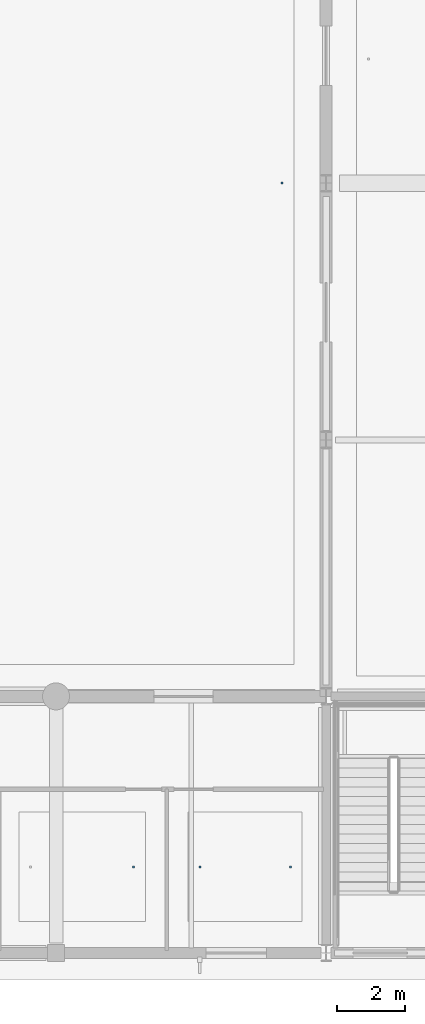
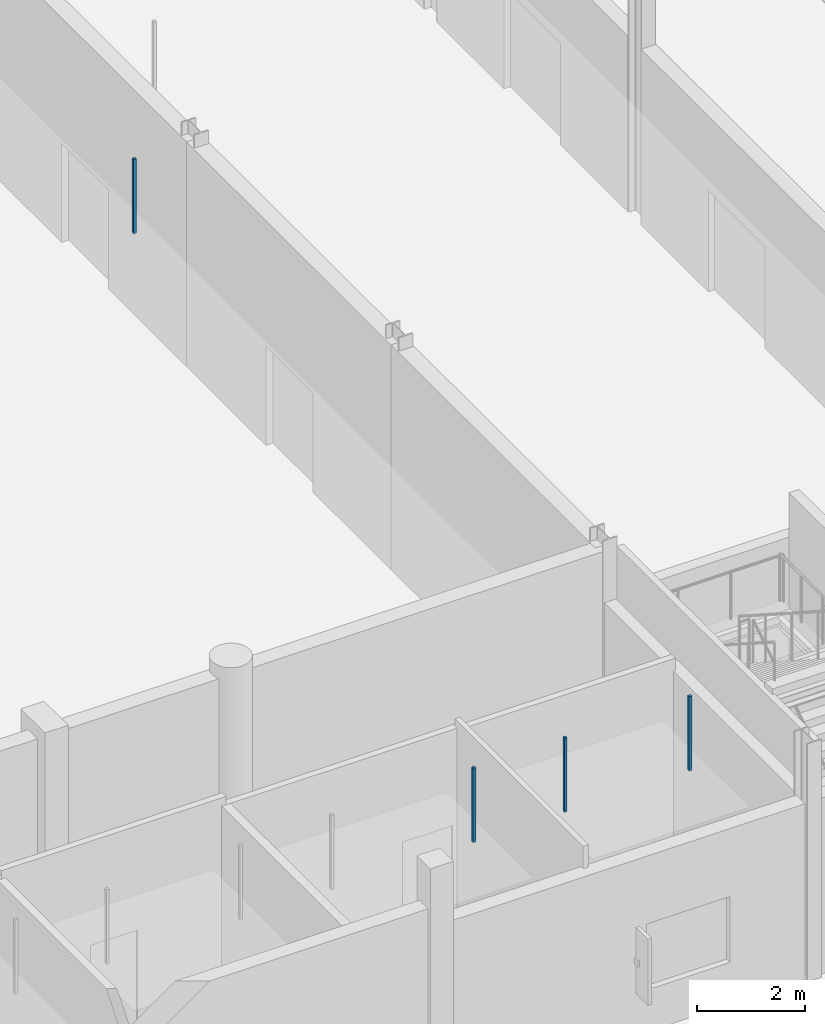
# One storey, part 76 of 126: 4 discrete accessories.
"""IFC4 building model written with IfcOpenShell, lengths in metres."""

import ifcopenshell
import ifcopenshell.guid

model = None  # the IFC model being written
_history = None  # IfcOwnerHistory: only IFC2X3 demands one
_inside = {}  # id of a spatial element -> (the spatial element, [elements in it])
_under = {}  # id of a project, library or spatial element -> (it, [spatial elements below it])
_declared = {}  # id of a project -> (the project, [libraries it declares])
_typed = {}  # id of a type object -> (the type object, [elements of that type])
_made_of = {}  # id of a material, layer set ... -> (it, [elements and type objects made of it])


def new_model(schema):
    """Start an empty IFC model of exactly this schema.

    Asked for "IFC4X3", IfcOpenShell would pick the latest addendum, in which some entities
    have other attributes; the version numbers below select the first issue.
    IFC2X3 requires an IfcOwnerHistory on every rooted entity: one is made here for all.
    """
    global model, _history
    if schema == "IFC4X3":
        model = ifcopenshell.file(schema_version=(4, 3, 0, 0))
    else:
        model = ifcopenshell.file(schema=schema)
    _inside.clear()
    _under.clear()
    _declared.clear()
    _typed.clear()
    _made_of.clear()
    _history = None
    if model.schema == "IFC2X3":
        org = make("IfcOrganization", Name="unknown")
        user = make(
            "IfcPersonAndOrganization",
            ThePerson=make("IfcPerson", FamilyName="unknown"),
            TheOrganization=org,
        )
        app = make(
            "IfcApplication",
            ApplicationDeveloper=org,
            Version="unknown",
            ApplicationFullName="unknown",
            ApplicationIdentifier="unknown",
        )
        _history = make(
            "IfcOwnerHistory",
            OwningUser=user,
            OwningApplication=app,
            ChangeAction="ADDED",
            CreationDate=0,
        )
    return model


def make(cls, **values):
    """One entity of the class cls with the attributes given. An attribute that is None is left unset."""
    return model.create_entity(
        cls, **{name: value for name, value in values.items() if value is not None}
    )


def rooted(cls, **values):
    """An entity with a GlobalId (a new one), such as an element, a storey or a relation."""
    return make(cls, GlobalId=ifcopenshell.guid.new(), OwnerHistory=_history, **values)


def si_unit(unit_type, name, prefix=None):
    """IfcSIUnit, for example si_unit("LENGTHUNIT", "METRE", prefix="MILLI")."""
    return make("IfcSIUnit", UnitType=unit_type, Prefix=prefix, Name=name)


def assignment(units):
    """IfcUnitAssignment: the units of a project."""
    return None if units is None else make("IfcUnitAssignment", Units=units)


def point(xyz):
    """IfcCartesianPoint."""
    return None if xyz is None else make("IfcCartesianPoint", Coordinates=xyz)


def direction(xyz):
    """IfcDirection."""
    return None if xyz is None else make("IfcDirection", DirectionRatios=xyz)


def frame(location, z_axis=None, x_axis=None):
    """IfcAxis2Placement3D, a coordinate frame: its origin and axes. An axis left out is left unset."""
    return make(
        "IfcAxis2Placement3D",
        Location=point(location),
        Axis=direction(z_axis),
        RefDirection=direction(x_axis),
    )


def frame_2d(location, x_axis=None):
    """IfcAxis2Placement2D, a coordinate frame in the plane: its origin and x axis."""
    return make(
        "IfcAxis2Placement2D", Location=point(location), RefDirection=direction(x_axis)
    )


def origin():
    """The frame at (0, 0, 0) with its axes left unset."""
    return frame((0.0, 0.0, 0.0))


def origin_2d():
    """The frame at (0, 0) in the plane with its x axis left unset."""
    return frame_2d((0.0, 0.0))


def place(relative_to, where):
    """IfcLocalPlacement: puts the frame where relative to a parent placement (None: the world)."""
    return make(
        "IfcLocalPlacement", PlacementRelTo=relative_to, RelativePlacement=where
    )


def context(
    kind, dimensions, precision=None, world=None, true_north=None, identifier=None
):
    """IfcGeometricRepresentationContext, for example the 3D "Model" context."""
    return make(
        "IfcGeometricRepresentationContext",
        ContextIdentifier=identifier,
        ContextType=kind,
        CoordinateSpaceDimension=dimensions,
        Precision=precision,
        WorldCoordinateSystem=world,
        TrueNorth=true_north,
    )


def subcontext(parent, identifier, kind, view, scale=None):
    """IfcGeometricRepresentationSubContext, for example "Body" below "Model"."""
    return make(
        "IfcGeometricRepresentationSubContext",
        ContextIdentifier=identifier,
        ContextType=kind,
        ParentContext=parent,
        TargetScale=scale,
        TargetView=view,
    )


def project(units=None, contexts=None):
    """IfcProject with its units and contexts."""
    return rooted(
        "IfcProject",
        Name="project",
        RepresentationContexts=contexts,
        UnitsInContext=assignment(units),
    )


def spatial(cls, under=None, at=None, **own):
    """A site, building, storey or space (cls), placed at a placement, below another one or the project."""
    s = rooted(cls, ObjectPlacement=at, **own)
    if under is not None:
        _under.setdefault(under.id(), (under, []))[1].append(s)
    return s


def profile(cls, at=None, kind="AREA", **sizes):
    """A parametric profile (cls). Its sizes go by their IFC names, for example OverallWidth=200.0."""
    return make(cls, ProfileType=kind, Position=at, **sizes)


def rectangle(**sizes):
    """IfcRectangleProfileDef."""
    return profile("IfcRectangleProfileDef", **sizes)


def extrude(swept, where, along, depth):
    """IfcExtrudedAreaSolid: the profile swept, set in the frame where, extruded along a direction by depth."""
    return make(
        "IfcExtrudedAreaSolid",
        SweptArea=swept,
        Position=where,
        ExtrudedDirection=direction(along),
        Depth=depth,
    )


def shape(context_of_items, identifier, shape_type, items):
    """IfcShapeRepresentation: the items that make up one representation, for example the "Body"."""
    return make(
        "IfcShapeRepresentation",
        ContextOfItems=context_of_items,
        RepresentationIdentifier=identifier,
        RepresentationType=shape_type,
        Items=items,
    )


def material(Name=None, Category=None):
    """IfcMaterial."""
    return make("IfcMaterial", Name=Name, Category=Category)


def made_of(thing, what):
    """Note that an element or type object is made of a material, layer set ...; save() writes the relation."""
    if what is not None:
        _made_of.setdefault(what.id(), (what, []))[1].append(thing)
    return thing


def type_object(cls, material=None, **own):
    """A type object (cls), such as IfcWallType, which elements share."""
    return made_of(rooted(cls, **own), material)


def element(
    cls,
    number,
    at=None,
    inside=None,
    cuts=None,
    type_object=None,
    material=None,
    context=None,
    identifier="Body",
    shape_type=None,
    held_by="IfcProductDefinitionShape",
    body=None,
    shapes=None,
    **own,
):
    """One element of the class cls, such as IfcWall. Its Tag is "e" and its number.

    at: its placement. inside: the storey or other place that contains it. cuts: it is an
    opening in that element (IfcRelVoidsElement). A single representation is given by context,
    identifier, shape_type and body (its items); several are given by shapes. held_by: the class
    of the entity that holds the representations. save() writes the other relations.
    """
    e = rooted(cls, Tag="e%d" % number, ObjectPlacement=at, **own)
    if body is not None:
        shapes = [shape(context, identifier, shape_type, body)]
    if shapes is not None:
        e.Representation = make(held_by, Representations=shapes)
    if inside is not None:
        _inside.setdefault(inside.id(), (inside, []))[1].append(e)
    if cuts is not None:
        rooted(
            "IfcRelVoidsElement", RelatingBuildingElement=cuts, RelatedOpeningElement=e
        )
    if type_object is not None:
        _typed.setdefault(type_object.id(), (type_object, []))[1].append(e)
    return made_of(e, material)


def aggregate(whole, parts):
    """IfcRelAggregates: a whole, such as a stair, and the parts it consists of."""
    return rooted("IfcRelAggregates", RelatingObject=whole, RelatedObjects=parts)


def save(model, path):
    """Write the relations noted so far, then the file.

    IfcRelAggregates (storeys below a building ...), IfcRelContainedInSpatialStructure (elements
    in a storey), IfcRelDefinesByType, IfcRelAssociatesMaterial and IfcRelDeclares: one each for
    every whole, place, type object, material and project.
    """
    for whole, parts in _under.values():
        aggregate(whole, parts)
    for where, things in _inside.values():
        rooted(
            "IfcRelContainedInSpatialStructure",
            RelatedElements=things,
            RelatingStructure=where,
        )
    for kind, things in _typed.values():
        rooted("IfcRelDefinesByType", RelatedObjects=things, RelatingType=kind)
    for what, things in _made_of.values():
        rooted("IfcRelAssociatesMaterial", RelatedObjects=things, RelatingMaterial=what)
    for by, libraries in _declared.values():
        rooted("IfcRelDeclares", RelatingContext=by, RelatedDefinitions=libraries)
    model.write(path)


model = new_model("IFC4")

# Units and contexts
model_context = context("Model", 3, precision=1e-05, world=origin(), true_north=direction((0.0, 1.0)))
body_context = subcontext(model_context, "Body", "Model", "MODEL_VIEW")
ifc_project = project(units=[si_unit("LENGTHUNIT", "METRE"), si_unit("AREAUNIT", "SQUARE_METRE"), si_unit("VOLUMEUNIT", "CUBIC_METRE"), si_unit("PLANEANGLEUNIT", "RADIAN"), si_unit("MASSUNIT", "GRAM", prefix="KILO")], contexts=[model_context])

# Site, building, storey
site_placement = place(None, origin())
site = spatial("IfcSite", under=ifc_project, at=site_placement, CompositionType="ELEMENT")
building_placement = place(site_placement, origin())
building = spatial("IfcBuilding", under=site, at=building_placement, Name="Khelvaren Railside Concert Hall", CompositionType="ELEMENT")
storey_placement = place(building_placement, origin())
storey = spatial("IfcBuildingStorey", under=building, at=storey_placement, Name="L00", CompositionType="ELEMENT", Elevation=0.0)

# Discrete accessories
ifc_material = material(Name="Galvanised steel acoustic ceiling hanger rod", Category="steel")
discrete_accessory_type = type_object("IfcDiscreteAccessoryType", Name="BRK62", PredefinedType="BRACKET", material=ifc_material)
for number, where, z_axis, x_axis, name in (
    (1, (38.699951171875, 22.800048828125, 3.429931640625), (0.0, 0.0, 1.0), (1.0, 0.0, 0.0), "Acoustic Ceiling Suspension Bracket 1-2"),
    (2, (34.300048828125, 2.550048828125, 3.429931640625), (0.0, 0.0, 1.0), (1.0, 0.0, 0.0), "Acoustic Ceiling Suspension Bracket 6-2"),
    (3, (36.260009765625, 2.550048828125, 3.429931640625), (0.0, 0.0, 1.0), (1.0, 0.0, 0.0), "Acoustic Ceiling Suspension Bracket 7-1"),
    (4, (38.93994140625, 2.550048828125, 3.429931640625), (0.0, 0.0, 1.0), (1.0, 0.0, 0.0), "Acoustic Ceiling Suspension Bracket 7-2"),
):
    element("IfcDiscreteAccessory", number, at=place(storey_placement, frame(where, z_axis=z_axis, x_axis=x_axis)), inside=storey, type_object=discrete_accessory_type, Name=name, PredefinedType="BRACKET", context=body_context, shape_type="SweptSolid", body=[
        extrude(rectangle(XDim=0.06005859375, YDim=0.06005859375, at=origin_2d()), origin(), (0.0, 0.0, 1.0), 1.68994140625),
    ])

save(model, "model.ifc")
